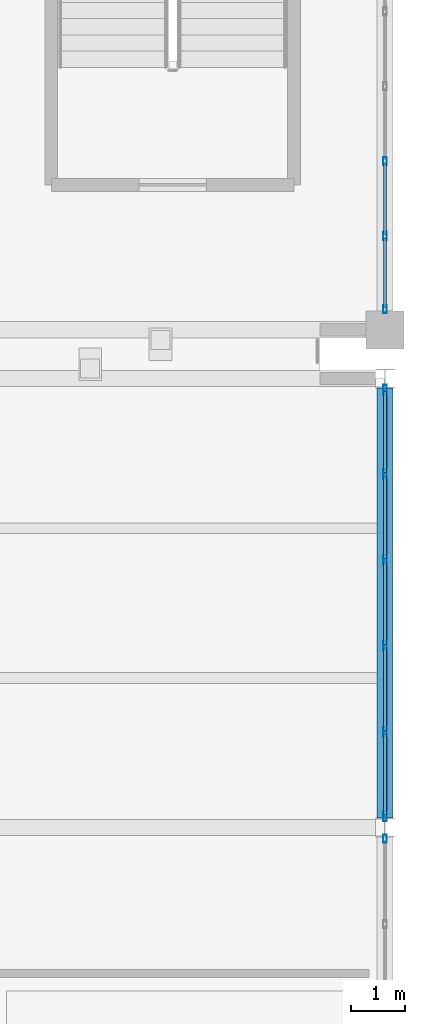
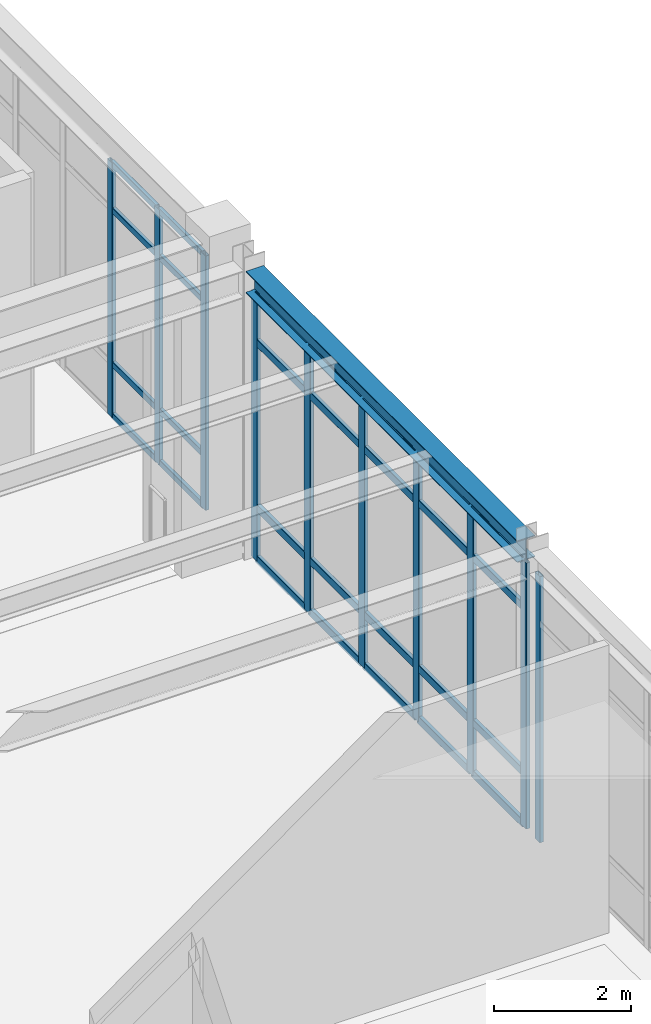
# One storey, part 25 of 80: 38 members, 1 beam, 3 elements without a shape of their own.
"""IFC4 building model written with IfcOpenShell, lengths in metres."""

import ifcopenshell
import ifcopenshell.guid

model = None  # the IFC model being written
_history = None  # IfcOwnerHistory: only IFC2X3 demands one
_inside = {}  # id of a spatial element -> (the spatial element, [elements in it])
_under = {}  # id of a project, library or spatial element -> (it, [spatial elements below it])
_declared = {}  # id of a project -> (the project, [libraries it declares])
_typed = {}  # id of a type object -> (the type object, [elements of that type])
_made_of = {}  # id of a material, layer set ... -> (it, [elements and type objects made of it])


def new_model(schema):
    """Start an empty IFC model of exactly this schema.

    Asked for "IFC4X3", IfcOpenShell would pick the latest addendum, in which some entities
    have other attributes; the version numbers below select the first issue.
    IFC2X3 requires an IfcOwnerHistory on every rooted entity: one is made here for all.
    """
    global model, _history
    if schema == "IFC4X3":
        model = ifcopenshell.file(schema_version=(4, 3, 0, 0))
    else:
        model = ifcopenshell.file(schema=schema)
    _inside.clear()
    _under.clear()
    _declared.clear()
    _typed.clear()
    _made_of.clear()
    _history = None
    if model.schema == "IFC2X3":
        org = make("IfcOrganization", Name="unknown")
        user = make(
            "IfcPersonAndOrganization",
            ThePerson=make("IfcPerson", FamilyName="unknown"),
            TheOrganization=org,
        )
        app = make(
            "IfcApplication",
            ApplicationDeveloper=org,
            Version="unknown",
            ApplicationFullName="unknown",
            ApplicationIdentifier="unknown",
        )
        _history = make(
            "IfcOwnerHistory",
            OwningUser=user,
            OwningApplication=app,
            ChangeAction="ADDED",
            CreationDate=0,
        )
    return model


def make(cls, **values):
    """One entity of the class cls with the attributes given. An attribute that is None is left unset."""
    return model.create_entity(
        cls, **{name: value for name, value in values.items() if value is not None}
    )


def rooted(cls, **values):
    """An entity with a GlobalId (a new one), such as an element, a storey or a relation."""
    return make(cls, GlobalId=ifcopenshell.guid.new(), OwnerHistory=_history, **values)


def si_unit(unit_type, name, prefix=None):
    """IfcSIUnit, for example si_unit("LENGTHUNIT", "METRE", prefix="MILLI")."""
    return make("IfcSIUnit", UnitType=unit_type, Prefix=prefix, Name=name)


def assignment(units):
    """IfcUnitAssignment: the units of a project."""
    return None if units is None else make("IfcUnitAssignment", Units=units)


def point(xyz):
    """IfcCartesianPoint."""
    return None if xyz is None else make("IfcCartesianPoint", Coordinates=xyz)


def direction(xyz):
    """IfcDirection."""
    return None if xyz is None else make("IfcDirection", DirectionRatios=xyz)


def frame(location, z_axis=None, x_axis=None):
    """IfcAxis2Placement3D, a coordinate frame: its origin and axes. An axis left out is left unset."""
    return make(
        "IfcAxis2Placement3D",
        Location=point(location),
        Axis=direction(z_axis),
        RefDirection=direction(x_axis),
    )


def frame_2d(location, x_axis=None):
    """IfcAxis2Placement2D, a coordinate frame in the plane: its origin and x axis."""
    return make(
        "IfcAxis2Placement2D", Location=point(location), RefDirection=direction(x_axis)
    )


def origin():
    """The frame at (0, 0, 0) with its axes left unset."""
    return frame((0.0, 0.0, 0.0))


def origin_2d():
    """The frame at (0, 0) in the plane with its x axis left unset."""
    return frame_2d((0.0, 0.0))


def place(relative_to, where):
    """IfcLocalPlacement: puts the frame where relative to a parent placement (None: the world)."""
    return make(
        "IfcLocalPlacement", PlacementRelTo=relative_to, RelativePlacement=where
    )


def context(
    kind, dimensions, precision=None, world=None, true_north=None, identifier=None
):
    """IfcGeometricRepresentationContext, for example the 3D "Model" context."""
    return make(
        "IfcGeometricRepresentationContext",
        ContextIdentifier=identifier,
        ContextType=kind,
        CoordinateSpaceDimension=dimensions,
        Precision=precision,
        WorldCoordinateSystem=world,
        TrueNorth=true_north,
    )


def subcontext(parent, identifier, kind, view, scale=None):
    """IfcGeometricRepresentationSubContext, for example "Body" below "Model"."""
    return make(
        "IfcGeometricRepresentationSubContext",
        ContextIdentifier=identifier,
        ContextType=kind,
        ParentContext=parent,
        TargetScale=scale,
        TargetView=view,
    )


def project(units=None, contexts=None):
    """IfcProject with its units and contexts."""
    return rooted(
        "IfcProject",
        Name="project",
        RepresentationContexts=contexts,
        UnitsInContext=assignment(units),
    )


def spatial(cls, under=None, at=None, **own):
    """A site, building, storey or space (cls), placed at a placement, below another one or the project."""
    s = rooted(cls, ObjectPlacement=at, **own)
    if under is not None:
        _under.setdefault(under.id(), (under, []))[1].append(s)
    return s


def profile(cls, at=None, kind="AREA", **sizes):
    """A parametric profile (cls). Its sizes go by their IFC names, for example OverallWidth=200.0."""
    return make(cls, ProfileType=kind, Position=at, **sizes)


def hollow_rectangle(**sizes):
    """IfcRectangleHollowProfileDef."""
    return profile("IfcRectangleHollowProfileDef", **sizes)


def i_section(**sizes):
    """IfcIShapeProfileDef."""
    return profile("IfcIShapeProfileDef", **sizes)


def extrude(swept, where, along, depth):
    """IfcExtrudedAreaSolid: the profile swept, set in the frame where, extruded along a direction by depth."""
    return make(
        "IfcExtrudedAreaSolid",
        SweptArea=swept,
        Position=where,
        ExtrudedDirection=direction(along),
        Depth=depth,
    )


def shape(context_of_items, identifier, shape_type, items):
    """IfcShapeRepresentation: the items that make up one representation, for example the "Body"."""
    return make(
        "IfcShapeRepresentation",
        ContextOfItems=context_of_items,
        RepresentationIdentifier=identifier,
        RepresentationType=shape_type,
        Items=items,
    )


def material(Name=None, Category=None):
    """IfcMaterial."""
    return make("IfcMaterial", Name=Name, Category=Category)


def material_profile(
    of_material, cross_section, Name=None, Category=None, Priority=None
):
    """IfcMaterialProfile: a cross section and its material."""
    return make(
        "IfcMaterialProfile",
        Name=Name,
        Material=of_material,
        Profile=cross_section,
        Priority=Priority,
        Category=Category,
    )


def profile_set(profiles, Name=None, composite=None):
    """IfcMaterialProfileSet."""
    return make(
        "IfcMaterialProfileSet",
        Name=Name,
        MaterialProfiles=profiles,
        CompositeProfile=composite,
    )


def made_of(thing, what):
    """Note that an element or type object is made of a material, layer set ...; save() writes the relation."""
    if what is not None:
        _made_of.setdefault(what.id(), (what, []))[1].append(thing)
    return thing


def type_object(cls, material=None, **own):
    """A type object (cls), such as IfcWallType, which elements share."""
    return made_of(rooted(cls, **own), material)


def element(
    cls,
    number,
    at=None,
    inside=None,
    cuts=None,
    type_object=None,
    material=None,
    context=None,
    identifier="Body",
    shape_type=None,
    held_by="IfcProductDefinitionShape",
    body=None,
    shapes=None,
    **own,
):
    """One element of the class cls, such as IfcWall. Its Tag is "e" and its number.

    at: its placement. inside: the storey or other place that contains it. cuts: it is an
    opening in that element (IfcRelVoidsElement). A single representation is given by context,
    identifier, shape_type and body (its items); several are given by shapes. held_by: the class
    of the entity that holds the representations. save() writes the other relations.
    """
    e = rooted(cls, Tag="e%d" % number, ObjectPlacement=at, **own)
    if body is not None:
        shapes = [shape(context, identifier, shape_type, body)]
    if shapes is not None:
        e.Representation = make(held_by, Representations=shapes)
    if inside is not None:
        _inside.setdefault(inside.id(), (inside, []))[1].append(e)
    if cuts is not None:
        rooted(
            "IfcRelVoidsElement", RelatingBuildingElement=cuts, RelatedOpeningElement=e
        )
    if type_object is not None:
        _typed.setdefault(type_object.id(), (type_object, []))[1].append(e)
    return made_of(e, material)


def aggregate(whole, parts):
    """IfcRelAggregates: a whole, such as a stair, and the parts it consists of."""
    return rooted("IfcRelAggregates", RelatingObject=whole, RelatedObjects=parts)


def save(model, path):
    """Write the relations noted so far, then the file.

    IfcRelAggregates (storeys below a building ...), IfcRelContainedInSpatialStructure (elements
    in a storey), IfcRelDefinesByType, IfcRelAssociatesMaterial and IfcRelDeclares: one each for
    every whole, place, type object, material and project.
    """
    for whole, parts in _under.values():
        aggregate(whole, parts)
    for where, things in _inside.values():
        rooted(
            "IfcRelContainedInSpatialStructure",
            RelatedElements=things,
            RelatingStructure=where,
        )
    for kind, things in _typed.values():
        rooted("IfcRelDefinesByType", RelatedObjects=things, RelatingType=kind)
    for what, things in _made_of.values():
        rooted("IfcRelAssociatesMaterial", RelatedObjects=things, RelatingMaterial=what)
    for by, libraries in _declared.values():
        rooted("IfcRelDeclares", RelatingContext=by, RelatedDefinitions=libraries)
    model.write(path)


model = new_model("IFC4")

# Units and contexts
model_context = context("Model", 3, precision=1e-05, world=origin(), true_north=direction((0.0, 1.0)))
body_context = subcontext(model_context, "Body", "Model", "MODEL_VIEW")
ifc_project = project(units=[si_unit("LENGTHUNIT", "METRE"), si_unit("AREAUNIT", "SQUARE_METRE"), si_unit("VOLUMEUNIT", "CUBIC_METRE"), si_unit("PLANEANGLEUNIT", "RADIAN"), si_unit("MASSUNIT", "GRAM", prefix="KILO")], contexts=[model_context])

# Site, building, storey
site_placement = place(None, origin())
site = spatial("IfcSite", under=ifc_project, at=site_placement, CompositionType="ELEMENT")
building_placement = place(site_placement, origin())
building = spatial("IfcBuilding", under=site, at=building_placement, Name="Canglan Escarpment Cableway Terminal", CompositionType="ELEMENT")
storey_placement = place(building_placement, frame((0.0, 0.0, 19.199951171875)))
storey = spatial("IfcBuildingStorey", under=building, at=storey_placement, Name="L04", CompositionType="ELEMENT", Elevation=19.199951171875)

# Beam
ifc_material_1 = material(Name="Steel Q355B", Category="steel")
ifc_material_profile_1 = material_profile(ifc_material_1, i_section(OverallWidth=0.300048828125, OverallDepth=0.389892578125, WebThickness=0.010009765625, FlangeThickness=0.01611328125, FilletRadius=0.02197265625, at=origin_2d()), Name="HM 390x300x10x16")
ifc_profile_set_1 = profile_set([ifc_material_profile_1], Name="Steel Q355B")
beam_type = type_object("IfcBeamType", Name="BM-ARCH-TOP-HM390", PredefinedType="BEAM", material=ifc_profile_set_1)
beam_placement = place(storey_placement, frame((166.39990234375, 24.97509765625, 4.965087890625), z_axis=(0.0, 1.0, 0.0), x_axis=(-1.0, 0.0, 0.0)))
element("IfcBeam", 1, at=beam_placement, inside=storey, type_object=beam_type, Name="Primary transverse girder AR-TC1", PredefinedType="BEAM", context=body_context, shape_type="SweptSolid", body=[
    extrude(i_section(OverallWidth=0.300048828125, OverallDepth=0.389892578125, WebThickness=0.010009765625, FlangeThickness=0.01611328125, FilletRadius=0.02197265625, at=origin_2d()), origin(), (0.0, 0.0, 1.0), 7.949951171875),
])

# Curtain wall, member
ifc_material_2 = material(Name="Anodized bronze aluminium and Low-E double glazing", Category="aluminium")
curtain_wall_type_1 = type_object("IfcCurtainWallType", Name="CW-BAY-8050x4750", PredefinedType="NOTDEFINED", material=ifc_material_2)
curtain_wall_1_placement = place(storey_placement, origin())
curtain_wall_1 = element("IfcCurtainWall", 2, at=curtain_wall_1_placement, inside=storey, type_object=curtain_wall_type_1, Name="Classical bay-between-piers glazed curtain wall CW-34", PredefinedType="NOTDEFINED")
ifc_material_3 = material(Name="Thermally broken anodized aluminium 6063-T6", Category="aluminium")
ifc_material_profile_2 = material_profile(ifc_material_3, hollow_rectangle(XDim=0.06494140625, YDim=0.14990234375, WallThickness=0.00341796875, InnerFilletRadius=0.00341796875, OuterFilletRadius=0.007080078125, at=origin_2d()), Name="ALU-MULL 65x150x3.5")
ifc_profile_set_2 = profile_set([ifc_material_profile_2], Name="Thermally broken anodized aluminium 6063-T6")
member_type_1 = type_object("IfcMemberType", Name="CWM-02", PredefinedType="MULLION", material=ifc_profile_set_2)
member_1_placement = place(storey_placement, frame((166.39990234375, 24.592529296875, 0.0), z_axis=(0.0, 0.0, 1.0), x_axis=(-1.0, 0.0, 0.0)))
member_1 = element("IfcMember", 3, at=member_1_placement, type_object=member_type_1, Name="CW-34 mullion 6", PredefinedType="MULLION", context=body_context, shape_type="SweptSolid", body=[
    extrude(hollow_rectangle(XDim=0.06494140625, YDim=0.14990234375, WallThickness=0.00341796875, InnerFilletRadius=0.00341796875, OuterFilletRadius=0.007080078125, at=origin_2d()), origin(), (0.0, 0.0, 1.0), 4.755126953125),
])
aggregate(curtain_wall_1, [member_1])

# Curtain wall, members
curtain_wall_type_2 = type_object("IfcCurtainWallType", Name="CW-BAY-8300x4550", PredefinedType="NOTDEFINED", material=ifc_material_2)
curtain_wall_2_placement = place(storey_placement, origin())
curtain_wall_2 = element("IfcCurtainWall", 4, at=curtain_wall_2_placement, inside=storey, type_object=curtain_wall_type_2, Name="Classical bay-between-piers glazed curtain wall CW-64", PredefinedType="NOTDEFINED")
member_2_placement = place(storey_placement, frame((166.39990234375, 34.382568359375, 0.0), z_axis=(0.0, 0.0, 1.0), x_axis=(-1.0, 0.0, 0.0)))
member_2 = element("IfcMember", 5, at=member_2_placement, type_object=member_type_1, Name="CW-64 mullion 1", PredefinedType="MULLION", context=body_context, shape_type="SweptSolid", body=[
    extrude(hollow_rectangle(XDim=0.06494140625, YDim=0.14990234375, WallThickness=0.00341796875, InnerFilletRadius=0.00341796875, OuterFilletRadius=0.007080078125, at=origin_2d()), origin(), (0.0, 0.0, 1.0), 4.551025390625),
])
member_3_placement = place(storey_placement, frame((166.39990234375, 35.7333984375, 0.0), z_axis=(0.0, 0.0, 1.0), x_axis=(-1.0, 0.0, 0.0)))
member_3 = element("IfcMember", 6, at=member_3_placement, type_object=member_type_1, Name="CW-64 mullion 2", PredefinedType="MULLION", context=body_context, shape_type="SweptSolid", body=[
    extrude(hollow_rectangle(XDim=0.06494140625, YDim=0.14990234375, WallThickness=0.00341796875, InnerFilletRadius=0.00341796875, OuterFilletRadius=0.007080078125, at=origin_2d()), origin(), (0.0, 0.0, 1.0), 4.551025390625),
])
member_4_placement = place(storey_placement, frame((166.39990234375, 37.11669921875, 0.0), z_axis=(0.0, 0.0, 1.0), x_axis=(-1.0, 0.0, 0.0)))
member_4 = element("IfcMember", 7, at=member_4_placement, type_object=member_type_1, Name="CW-64 mullion 3", PredefinedType="MULLION", context=body_context, shape_type="SweptSolid", body=[
    extrude(hollow_rectangle(XDim=0.06494140625, YDim=0.14990234375, WallThickness=0.00341796875, InnerFilletRadius=0.00341796875, OuterFilletRadius=0.007080078125, at=origin_2d()), origin(), (0.0, 0.0, 1.0), 4.551025390625),
])

curtain_wall_type_3 = type_object("IfcCurtainWallType", Name="CW-BAY-7950x4750", PredefinedType="NOTDEFINED", material=ifc_material_2)
curtain_wall_3_placement = place(storey_placement, origin())
curtain_wall_3 = element("IfcCurtainWall", 8, at=curtain_wall_3_placement, inside=storey, type_object=curtain_wall_type_3, Name="Classical bay-between-piers glazed curtain wall CW-35", PredefinedType="NOTDEFINED")
ifc_material_profile_3 = material_profile(ifc_material_3, hollow_rectangle(XDim=0.06494140625, YDim=0.179931640625, WallThickness=0.00390625, InnerFilletRadius=0.00390625, OuterFilletRadius=0.008056640625, at=origin_2d()), Name="ALU-MULL 65x180x4")
ifc_profile_set_3 = profile_set([ifc_material_profile_3], Name="Thermally broken anodized aluminium 6063-T6")
member_type_2 = type_object("IfcMemberType", Name="CWM-03", PredefinedType="MULLION", material=ifc_profile_set_3)
member_5_placement = place(storey_placement, frame((166.39990234375, 25.007568359375, 0.0), z_axis=(0.0, 0.0, 1.0), x_axis=(-1.0, 0.0, 0.0)))
member_5 = element("IfcMember", 9, at=member_5_placement, type_object=member_type_2, Name="CW-35 mullion 1", PredefinedType="MULLION", context=body_context, shape_type="SweptSolid", body=[
    extrude(hollow_rectangle(XDim=0.06494140625, YDim=0.179931640625, WallThickness=0.00390625, InnerFilletRadius=0.00390625, OuterFilletRadius=0.008056640625, at=origin_2d()), origin(), (0.0, 0.0, 1.0), 4.755126953125),
])
member_6_placement = place(storey_placement, frame((166.39990234375, 26.56494140625, 0.0), z_axis=(0.0, 0.0, 1.0), x_axis=(-1.0, 0.0, 0.0)))
member_6 = element("IfcMember", 10, at=member_6_placement, type_object=member_type_2, Name="CW-35 mullion 2", PredefinedType="MULLION", context=body_context, shape_type="SweptSolid", body=[
    extrude(hollow_rectangle(XDim=0.06494140625, YDim=0.179931640625, WallThickness=0.00390625, InnerFilletRadius=0.00390625, OuterFilletRadius=0.008056640625, at=origin_2d()), origin(), (0.0, 0.0, 1.0), 4.755126953125),
])
member_7_placement = place(storey_placement, frame((166.39990234375, 28.155029296875, 0.0), z_axis=(0.0, 0.0, 1.0), x_axis=(-1.0, 0.0, 0.0)))
member_7 = element("IfcMember", 11, at=member_7_placement, type_object=member_type_2, Name="CW-35 mullion 3", PredefinedType="MULLION", context=body_context, shape_type="SweptSolid", body=[
    extrude(hollow_rectangle(XDim=0.06494140625, YDim=0.179931640625, WallThickness=0.00390625, InnerFilletRadius=0.00390625, OuterFilletRadius=0.008056640625, at=origin_2d()), origin(), (0.0, 0.0, 1.0), 4.755126953125),
])
member_8_placement = place(storey_placement, frame((166.39990234375, 29.7451171875, 0.0), z_axis=(0.0, 0.0, 1.0), x_axis=(-1.0, 0.0, 0.0)))
member_8 = element("IfcMember", 12, at=member_8_placement, type_object=member_type_2, Name="CW-35 mullion 4", PredefinedType="MULLION", context=body_context, shape_type="SweptSolid", body=[
    extrude(hollow_rectangle(XDim=0.06494140625, YDim=0.179931640625, WallThickness=0.00390625, InnerFilletRadius=0.00390625, OuterFilletRadius=0.008056640625, at=origin_2d()), origin(), (0.0, 0.0, 1.0), 4.755126953125),
])
member_9_placement = place(storey_placement, frame((166.39990234375, 31.3349609375, 0.0), z_axis=(0.0, 0.0, 1.0), x_axis=(-1.0, 0.0, 0.0)))
member_9 = element("IfcMember", 13, at=member_9_placement, type_object=member_type_2, Name="CW-35 mullion 5", PredefinedType="MULLION", context=body_context, shape_type="SweptSolid", body=[
    extrude(hollow_rectangle(XDim=0.06494140625, YDim=0.179931640625, WallThickness=0.00390625, InnerFilletRadius=0.00390625, OuterFilletRadius=0.008056640625, at=origin_2d()), origin(), (0.0, 0.0, 1.0), 4.755126953125),
])
member_10_placement = place(storey_placement, frame((166.39990234375, 32.892578125, 0.0), z_axis=(0.0, 0.0, 1.0), x_axis=(-1.0, 0.0, 0.0)))
member_10 = element("IfcMember", 14, at=member_10_placement, type_object=member_type_2, Name="CW-35 mullion 6", PredefinedType="MULLION", context=body_context, shape_type="SweptSolid", body=[
    extrude(hollow_rectangle(XDim=0.06494140625, YDim=0.179931640625, WallThickness=0.00390625, InnerFilletRadius=0.00390625, OuterFilletRadius=0.008056640625, at=origin_2d()), origin(), (0.0, 0.0, 1.0), 4.755126953125),
])

# Member
ifc_material_profile_4 = material_profile(ifc_material_3, hollow_rectangle(XDim=0.06005859375, YDim=0.110107421875, WallThickness=0.0029296875, InnerFilletRadius=0.0029296875, OuterFilletRadius=0.006103515625, at=origin_2d()), Name="ALU-TRAN 60x110x3")
ifc_profile_set_4 = profile_set([ifc_material_profile_4], Name="Thermally broken anodized aluminium 6063-T6")
member_type_3 = type_object("IfcMemberType", Name="CWT-02", PredefinedType="USERDEFINED", material=ifc_profile_set_4)
member_11_placement = place(storey_placement, frame((166.39990234375, 34.4150390625, 0.030029296875), z_axis=(0.0, 1.0, 0.0), x_axis=(-1.0, 0.0, 0.0)))
member_11 = element("IfcMember", 15, at=member_11_placement, type_object=member_type_3, Name="CW-64 transom 1.1", ObjectType="TRANSOM", PredefinedType="USERDEFINED", context=body_context, shape_type="SweptSolid", body=[
    extrude(hollow_rectangle(XDim=0.06005859375, YDim=0.110107421875, WallThickness=0.0029296875, InnerFilletRadius=0.0029296875, OuterFilletRadius=0.006103515625, at=origin_2d()), origin(), (0.0, 0.0, 1.0), 1.285888671875),
])

member_12_placement = place(storey_placement, frame((166.39990234375, 34.4150390625, 0.949951171875), z_axis=(0.0, 1.0, 0.0), x_axis=(-1.0, 0.0, 0.0)))
member_12 = element("IfcMember", 16, at=member_12_placement, type_object=member_type_3, Name="CW-64 transom 1.2", ObjectType="TRANSOM", PredefinedType="USERDEFINED", context=body_context, shape_type="SweptSolid", body=[
    extrude(hollow_rectangle(XDim=0.06005859375, YDim=0.110107421875, WallThickness=0.0029296875, InnerFilletRadius=0.0029296875, OuterFilletRadius=0.006103515625, at=origin_2d()), origin(), (0.0, 0.0, 1.0), 1.285888671875),
])

member_13_placement = place(storey_placement, frame((166.39990234375, 34.4150390625, 3.700927734375), z_axis=(0.0, 1.0, 0.0), x_axis=(-1.0, 0.0, 0.0)))
member_13 = element("IfcMember", 17, at=member_13_placement, type_object=member_type_3, Name="CW-64 transom 1.3", ObjectType="TRANSOM", PredefinedType="USERDEFINED", context=body_context, shape_type="SweptSolid", body=[
    extrude(hollow_rectangle(XDim=0.06005859375, YDim=0.110107421875, WallThickness=0.0029296875, InnerFilletRadius=0.0029296875, OuterFilletRadius=0.006103515625, at=origin_2d()), origin(), (0.0, 0.0, 1.0), 1.285888671875),
])

member_14_placement = place(storey_placement, frame((166.39990234375, 34.4150390625, 4.52099609375), z_axis=(0.0, 1.0, 0.0), x_axis=(-1.0, 0.0, 0.0)))
member_14 = element("IfcMember", 18, at=member_14_placement, type_object=member_type_3, Name="CW-64 transom 1.4", ObjectType="TRANSOM", PredefinedType="USERDEFINED", context=body_context, shape_type="SweptSolid", body=[
    extrude(hollow_rectangle(XDim=0.06005859375, YDim=0.110107421875, WallThickness=0.0029296875, InnerFilletRadius=0.0029296875, OuterFilletRadius=0.006103515625, at=origin_2d()), origin(), (0.0, 0.0, 1.0), 1.285888671875),
])

member_15_placement = place(storey_placement, frame((166.39990234375, 35.765869140625, 0.030029296875), z_axis=(0.0, 1.0, 0.0), x_axis=(-1.0, 0.0, 0.0)))
member_15 = element("IfcMember", 19, at=member_15_placement, type_object=member_type_3, Name="CW-64 transom 2.1", ObjectType="TRANSOM", PredefinedType="USERDEFINED", context=body_context, shape_type="SweptSolid", body=[
    extrude(hollow_rectangle(XDim=0.06005859375, YDim=0.110107421875, WallThickness=0.0029296875, InnerFilletRadius=0.0029296875, OuterFilletRadius=0.006103515625, at=origin_2d()), origin(), (0.0, 0.0, 1.0), 1.318359375),
])

member_16_placement = place(storey_placement, frame((166.39990234375, 35.765869140625, 0.949951171875), z_axis=(0.0, 1.0, 0.0), x_axis=(-1.0, 0.0, 0.0)))
member_16 = element("IfcMember", 20, at=member_16_placement, type_object=member_type_3, Name="CW-64 transom 2.2", ObjectType="TRANSOM", PredefinedType="USERDEFINED", context=body_context, shape_type="SweptSolid", body=[
    extrude(hollow_rectangle(XDim=0.06005859375, YDim=0.110107421875, WallThickness=0.0029296875, InnerFilletRadius=0.0029296875, OuterFilletRadius=0.006103515625, at=origin_2d()), origin(), (0.0, 0.0, 1.0), 1.318359375),
])

member_17_placement = place(storey_placement, frame((166.39990234375, 35.765869140625, 3.700927734375), z_axis=(0.0, 1.0, 0.0), x_axis=(-1.0, 0.0, 0.0)))
member_17 = element("IfcMember", 21, at=member_17_placement, type_object=member_type_3, Name="CW-64 transom 2.3", ObjectType="TRANSOM", PredefinedType="USERDEFINED", context=body_context, shape_type="SweptSolid", body=[
    extrude(hollow_rectangle(XDim=0.06005859375, YDim=0.110107421875, WallThickness=0.0029296875, InnerFilletRadius=0.0029296875, OuterFilletRadius=0.006103515625, at=origin_2d()), origin(), (0.0, 0.0, 1.0), 1.318359375),
])

member_18_placement = place(storey_placement, frame((166.39990234375, 35.765869140625, 4.52099609375), z_axis=(0.0, 1.0, 0.0), x_axis=(-1.0, 0.0, 0.0)))
member_18 = element("IfcMember", 22, at=member_18_placement, type_object=member_type_3, Name="CW-64 transom 2.4", ObjectType="TRANSOM", PredefinedType="USERDEFINED", context=body_context, shape_type="SweptSolid", body=[
    extrude(hollow_rectangle(XDim=0.06005859375, YDim=0.110107421875, WallThickness=0.0029296875, InnerFilletRadius=0.0029296875, OuterFilletRadius=0.006103515625, at=origin_2d()), origin(), (0.0, 0.0, 1.0), 1.318359375),
])

aggregate(curtain_wall_2, [member_2, member_3, member_4, member_11, member_12, member_13, member_14, member_15, member_16, member_17, member_18])

ifc_material_profile_5 = material_profile(ifc_material_3, hollow_rectangle(XDim=0.06494140625, YDim=0.139892578125, WallThickness=0.00341796875, InnerFilletRadius=0.00341796875, OuterFilletRadius=0.007080078125, at=origin_2d()), Name="ALU-TRAN 65x140x3.5")
ifc_profile_set_5 = profile_set([ifc_material_profile_5], Name="Thermally broken anodized aluminium 6063-T6")
member_type_4 = type_object("IfcMemberType", Name="CWT-03", PredefinedType="USERDEFINED", material=ifc_profile_set_5)
member_19_placement = place(storey_placement, frame((166.39990234375, 25.0400390625, 0.032470703125), z_axis=(0.0, 1.0, 0.0), x_axis=(-1.0, 0.0, 0.0)))
member_19 = element("IfcMember", 23, at=member_19_placement, type_object=member_type_4, Name="CW-35 transom 1.1", ObjectType="TRANSOM", PredefinedType="USERDEFINED", context=body_context, shape_type="SweptSolid", body=[
    extrude(hollow_rectangle(XDim=0.06494140625, YDim=0.139892578125, WallThickness=0.00341796875, InnerFilletRadius=0.00341796875, OuterFilletRadius=0.007080078125, at=origin_2d()), origin(), (0.0, 0.0, 1.0), 1.492431640625),
])

member_20_placement = place(storey_placement, frame((166.39990234375, 25.0400390625, 0.949951171875), z_axis=(0.0, 1.0, 0.0), x_axis=(-1.0, 0.0, 0.0)))
member_20 = element("IfcMember", 24, at=member_20_placement, type_object=member_type_4, Name="CW-35 transom 1.2", ObjectType="TRANSOM", PredefinedType="USERDEFINED", context=body_context, shape_type="SweptSolid", body=[
    extrude(hollow_rectangle(XDim=0.06494140625, YDim=0.139892578125, WallThickness=0.00341796875, InnerFilletRadius=0.00341796875, OuterFilletRadius=0.007080078125, at=origin_2d()), origin(), (0.0, 0.0, 1.0), 1.492431640625),
])

member_21_placement = place(storey_placement, frame((166.39990234375, 25.0400390625, 3.905029296875), z_axis=(0.0, 1.0, 0.0), x_axis=(-1.0, 0.0, 0.0)))
member_21 = element("IfcMember", 25, at=member_21_placement, type_object=member_type_4, Name="CW-35 transom 1.3", ObjectType="TRANSOM", PredefinedType="USERDEFINED", context=body_context, shape_type="SweptSolid", body=[
    extrude(hollow_rectangle(XDim=0.06494140625, YDim=0.139892578125, WallThickness=0.00341796875, InnerFilletRadius=0.00341796875, OuterFilletRadius=0.007080078125, at=origin_2d()), origin(), (0.0, 0.0, 1.0), 1.492431640625),
])

member_22_placement = place(storey_placement, frame((166.39990234375, 25.0400390625, 4.72265625), z_axis=(0.0, 1.0, 0.0), x_axis=(-1.0, 0.0, 0.0)))
member_22 = element("IfcMember", 26, at=member_22_placement, type_object=member_type_4, Name="CW-35 transom 1.4", ObjectType="TRANSOM", PredefinedType="USERDEFINED", context=body_context, shape_type="SweptSolid", body=[
    extrude(hollow_rectangle(XDim=0.06494140625, YDim=0.139892578125, WallThickness=0.00341796875, InnerFilletRadius=0.00341796875, OuterFilletRadius=0.007080078125, at=origin_2d()), origin(), (0.0, 0.0, 1.0), 1.492431640625),
])

member_23_placement = place(storey_placement, frame((166.39990234375, 26.597412109375, 0.032470703125), z_axis=(0.0, 1.0, 0.0), x_axis=(-1.0, 0.0, 0.0)))
member_23 = element("IfcMember", 27, at=member_23_placement, type_object=member_type_4, Name="CW-35 transom 2.1", ObjectType="TRANSOM", PredefinedType="USERDEFINED", context=body_context, shape_type="SweptSolid", body=[
    extrude(hollow_rectangle(XDim=0.06494140625, YDim=0.139892578125, WallThickness=0.00341796875, InnerFilletRadius=0.00341796875, OuterFilletRadius=0.007080078125, at=origin_2d()), origin(), (0.0, 0.0, 1.0), 1.525146484375),
])

member_24_placement = place(storey_placement, frame((166.39990234375, 26.597412109375, 0.949951171875), z_axis=(0.0, 1.0, 0.0), x_axis=(-1.0, 0.0, 0.0)))
member_24 = element("IfcMember", 28, at=member_24_placement, type_object=member_type_4, Name="CW-35 transom 2.2", ObjectType="TRANSOM", PredefinedType="USERDEFINED", context=body_context, shape_type="SweptSolid", body=[
    extrude(hollow_rectangle(XDim=0.06494140625, YDim=0.139892578125, WallThickness=0.00341796875, InnerFilletRadius=0.00341796875, OuterFilletRadius=0.007080078125, at=origin_2d()), origin(), (0.0, 0.0, 1.0), 1.525146484375),
])

member_25_placement = place(storey_placement, frame((166.39990234375, 26.597412109375, 3.905029296875), z_axis=(0.0, 1.0, 0.0), x_axis=(-1.0, 0.0, 0.0)))
member_25 = element("IfcMember", 29, at=member_25_placement, type_object=member_type_4, Name="CW-35 transom 2.3", ObjectType="TRANSOM", PredefinedType="USERDEFINED", context=body_context, shape_type="SweptSolid", body=[
    extrude(hollow_rectangle(XDim=0.06494140625, YDim=0.139892578125, WallThickness=0.00341796875, InnerFilletRadius=0.00341796875, OuterFilletRadius=0.007080078125, at=origin_2d()), origin(), (0.0, 0.0, 1.0), 1.525146484375),
])

member_26_placement = place(storey_placement, frame((166.39990234375, 26.597412109375, 4.72265625), z_axis=(0.0, 1.0, 0.0), x_axis=(-1.0, 0.0, 0.0)))
member_26 = element("IfcMember", 30, at=member_26_placement, type_object=member_type_4, Name="CW-35 transom 2.4", ObjectType="TRANSOM", PredefinedType="USERDEFINED", context=body_context, shape_type="SweptSolid", body=[
    extrude(hollow_rectangle(XDim=0.06494140625, YDim=0.139892578125, WallThickness=0.00341796875, InnerFilletRadius=0.00341796875, OuterFilletRadius=0.007080078125, at=origin_2d()), origin(), (0.0, 0.0, 1.0), 1.525146484375),
])

member_27_placement = place(storey_placement, frame((166.39990234375, 28.1875, 0.032470703125), z_axis=(0.0, 1.0, 0.0), x_axis=(-1.0, 0.0, 0.0)))
member_27 = element("IfcMember", 31, at=member_27_placement, type_object=member_type_4, Name="CW-35 transom 3.1", ObjectType="TRANSOM", PredefinedType="USERDEFINED", context=body_context, shape_type="SweptSolid", body=[
    extrude(hollow_rectangle(XDim=0.06494140625, YDim=0.139892578125, WallThickness=0.00341796875, InnerFilletRadius=0.00341796875, OuterFilletRadius=0.007080078125, at=origin_2d()), origin(), (0.0, 0.0, 1.0), 1.52490234375),
])

member_28_placement = place(storey_placement, frame((166.39990234375, 28.1875, 0.949951171875), z_axis=(0.0, 1.0, 0.0), x_axis=(-1.0, 0.0, 0.0)))
member_28 = element("IfcMember", 32, at=member_28_placement, type_object=member_type_4, Name="CW-35 transom 3.2", ObjectType="TRANSOM", PredefinedType="USERDEFINED", context=body_context, shape_type="SweptSolid", body=[
    extrude(hollow_rectangle(XDim=0.06494140625, YDim=0.139892578125, WallThickness=0.00341796875, InnerFilletRadius=0.00341796875, OuterFilletRadius=0.007080078125, at=origin_2d()), origin(), (0.0, 0.0, 1.0), 1.52490234375),
])

member_29_placement = place(storey_placement, frame((166.39990234375, 28.1875, 3.905029296875), z_axis=(0.0, 1.0, 0.0), x_axis=(-1.0, 0.0, 0.0)))
member_29 = element("IfcMember", 33, at=member_29_placement, type_object=member_type_4, Name="CW-35 transom 3.3", ObjectType="TRANSOM", PredefinedType="USERDEFINED", context=body_context, shape_type="SweptSolid", body=[
    extrude(hollow_rectangle(XDim=0.06494140625, YDim=0.139892578125, WallThickness=0.00341796875, InnerFilletRadius=0.00341796875, OuterFilletRadius=0.007080078125, at=origin_2d()), origin(), (0.0, 0.0, 1.0), 1.52490234375),
])

member_30_placement = place(storey_placement, frame((166.39990234375, 28.1875, 4.72265625), z_axis=(0.0, 1.0, 0.0), x_axis=(-1.0, 0.0, 0.0)))
member_30 = element("IfcMember", 34, at=member_30_placement, type_object=member_type_4, Name="CW-35 transom 3.4", ObjectType="TRANSOM", PredefinedType="USERDEFINED", context=body_context, shape_type="SweptSolid", body=[
    extrude(hollow_rectangle(XDim=0.06494140625, YDim=0.139892578125, WallThickness=0.00341796875, InnerFilletRadius=0.00341796875, OuterFilletRadius=0.007080078125, at=origin_2d()), origin(), (0.0, 0.0, 1.0), 1.52490234375),
])

member_31_placement = place(storey_placement, frame((166.39990234375, 29.777587890625, 0.032470703125), z_axis=(0.0, 1.0, 0.0), x_axis=(-1.0, 0.0, 0.0)))
member_31 = element("IfcMember", 35, at=member_31_placement, type_object=member_type_4, Name="CW-35 transom 4.1", ObjectType="TRANSOM", PredefinedType="USERDEFINED", context=body_context, shape_type="SweptSolid", body=[
    extrude(hollow_rectangle(XDim=0.06494140625, YDim=0.139892578125, WallThickness=0.00341796875, InnerFilletRadius=0.00341796875, OuterFilletRadius=0.007080078125, at=origin_2d()), origin(), (0.0, 0.0, 1.0), 1.52490234375),
])

member_32_placement = place(storey_placement, frame((166.39990234375, 29.777587890625, 0.949951171875), z_axis=(0.0, 1.0, 0.0), x_axis=(-1.0, 0.0, 0.0)))
member_32 = element("IfcMember", 36, at=member_32_placement, type_object=member_type_4, Name="CW-35 transom 4.2", ObjectType="TRANSOM", PredefinedType="USERDEFINED", context=body_context, shape_type="SweptSolid", body=[
    extrude(hollow_rectangle(XDim=0.06494140625, YDim=0.139892578125, WallThickness=0.00341796875, InnerFilletRadius=0.00341796875, OuterFilletRadius=0.007080078125, at=origin_2d()), origin(), (0.0, 0.0, 1.0), 1.52490234375),
])

member_33_placement = place(storey_placement, frame((166.39990234375, 29.777587890625, 3.905029296875), z_axis=(0.0, 1.0, 0.0), x_axis=(-1.0, 0.0, 0.0)))
member_33 = element("IfcMember", 37, at=member_33_placement, type_object=member_type_4, Name="CW-35 transom 4.3", ObjectType="TRANSOM", PredefinedType="USERDEFINED", context=body_context, shape_type="SweptSolid", body=[
    extrude(hollow_rectangle(XDim=0.06494140625, YDim=0.139892578125, WallThickness=0.00341796875, InnerFilletRadius=0.00341796875, OuterFilletRadius=0.007080078125, at=origin_2d()), origin(), (0.0, 0.0, 1.0), 1.52490234375),
])

member_34_placement = place(storey_placement, frame((166.39990234375, 29.777587890625, 4.72265625), z_axis=(0.0, 1.0, 0.0), x_axis=(-1.0, 0.0, 0.0)))
member_34 = element("IfcMember", 38, at=member_34_placement, type_object=member_type_4, Name="CW-35 transom 4.4", ObjectType="TRANSOM", PredefinedType="USERDEFINED", context=body_context, shape_type="SweptSolid", body=[
    extrude(hollow_rectangle(XDim=0.06494140625, YDim=0.139892578125, WallThickness=0.00341796875, InnerFilletRadius=0.00341796875, OuterFilletRadius=0.007080078125, at=origin_2d()), origin(), (0.0, 0.0, 1.0), 1.52490234375),
])

member_35_placement = place(storey_placement, frame((166.39990234375, 31.367431640625, 0.032470703125), z_axis=(0.0, 1.0, 0.0), x_axis=(-1.0, 0.0, 0.0)))
member_35 = element("IfcMember", 39, at=member_35_placement, type_object=member_type_4, Name="CW-35 transom 5.1", ObjectType="TRANSOM", PredefinedType="USERDEFINED", context=body_context, shape_type="SweptSolid", body=[
    extrude(hollow_rectangle(XDim=0.06494140625, YDim=0.139892578125, WallThickness=0.00341796875, InnerFilletRadius=0.00341796875, OuterFilletRadius=0.007080078125, at=origin_2d()), origin(), (0.0, 0.0, 1.0), 1.49267578125),
])

member_36_placement = place(storey_placement, frame((166.39990234375, 31.367431640625, 0.949951171875), z_axis=(0.0, 1.0, 0.0), x_axis=(-1.0, 0.0, 0.0)))
member_36 = element("IfcMember", 40, at=member_36_placement, type_object=member_type_4, Name="CW-35 transom 5.2", ObjectType="TRANSOM", PredefinedType="USERDEFINED", context=body_context, shape_type="SweptSolid", body=[
    extrude(hollow_rectangle(XDim=0.06494140625, YDim=0.139892578125, WallThickness=0.00341796875, InnerFilletRadius=0.00341796875, OuterFilletRadius=0.007080078125, at=origin_2d()), origin(), (0.0, 0.0, 1.0), 1.49267578125),
])

member_37_placement = place(storey_placement, frame((166.39990234375, 31.367431640625, 3.905029296875), z_axis=(0.0, 1.0, 0.0), x_axis=(-1.0, 0.0, 0.0)))
member_37 = element("IfcMember", 41, at=member_37_placement, type_object=member_type_4, Name="CW-35 transom 5.3", ObjectType="TRANSOM", PredefinedType="USERDEFINED", context=body_context, shape_type="SweptSolid", body=[
    extrude(hollow_rectangle(XDim=0.06494140625, YDim=0.139892578125, WallThickness=0.00341796875, InnerFilletRadius=0.00341796875, OuterFilletRadius=0.007080078125, at=origin_2d()), origin(), (0.0, 0.0, 1.0), 1.49267578125),
])

member_38_placement = place(storey_placement, frame((166.39990234375, 31.367431640625, 4.72265625), z_axis=(0.0, 1.0, 0.0), x_axis=(-1.0, 0.0, 0.0)))
member_38 = element("IfcMember", 42, at=member_38_placement, type_object=member_type_4, Name="CW-35 transom 5.4", ObjectType="TRANSOM", PredefinedType="USERDEFINED", context=body_context, shape_type="SweptSolid", body=[
    extrude(hollow_rectangle(XDim=0.06494140625, YDim=0.139892578125, WallThickness=0.00341796875, InnerFilletRadius=0.00341796875, OuterFilletRadius=0.007080078125, at=origin_2d()), origin(), (0.0, 0.0, 1.0), 1.49267578125),
])

aggregate(curtain_wall_3, [member_5, member_6, member_7, member_8, member_9, member_10, member_19, member_20, member_21, member_22, member_23, member_24, member_25, member_26, member_27, member_28, member_29, member_30, member_31, member_32, member_33, member_34, member_35, member_36, member_37, member_38])

save(model, "model.ifc")
